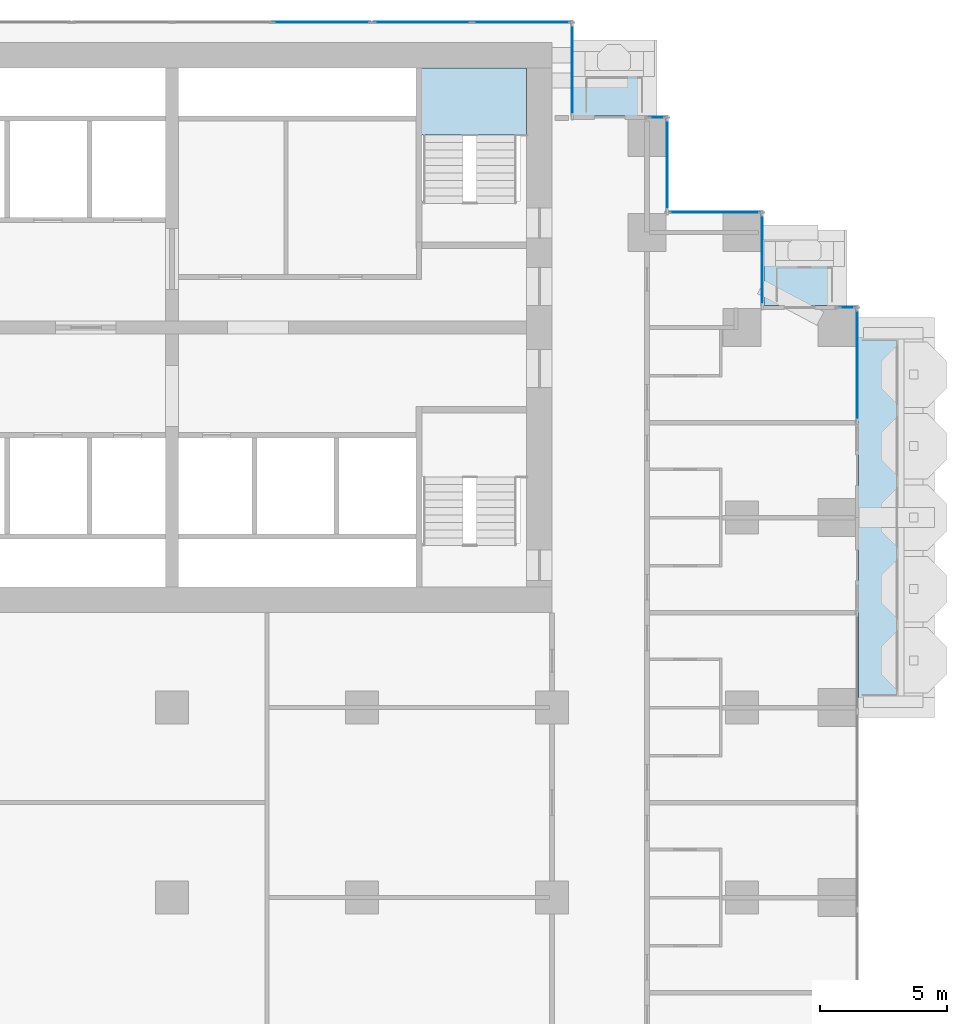
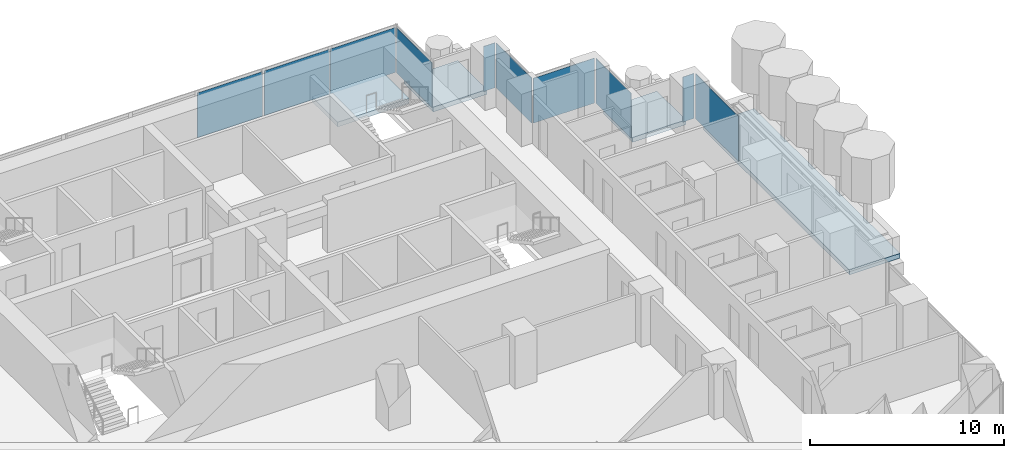
# One storey, part 10 of 19: 10 plates, 4 slabs, 10 elements without a shape of their own.
"""IFC4 building model written with IfcOpenShell, lengths in metres."""

from ifc_helpers import new_model, si_unit, direction, frame, origin, origin_2d, place, context, subcontext, project, spatial, polyline, rectangle, outline, extrude, material, layer, layer_set, type_object, element, aggregate, save


model = new_model("IFC4")

# Units and contexts
model_context = context("Model", 3, precision=1e-05, world=origin(), true_north=direction((0.0, 1.0)))
body_context = subcontext(model_context, "Body", "Model", "MODEL_VIEW")
ifc_project = project(units=[si_unit("LENGTHUNIT", "METRE"), si_unit("AREAUNIT", "SQUARE_METRE"), si_unit("VOLUMEUNIT", "CUBIC_METRE"), si_unit("PLANEANGLEUNIT", "RADIAN"), si_unit("MASSUNIT", "GRAM", prefix="KILO")], contexts=[model_context])

# Site, building, storey
site_placement = place(None, origin())
site = spatial("IfcSite", under=ifc_project, at=site_placement, CompositionType="ELEMENT")
building_placement = place(site_placement, origin())
building = spatial("IfcBuilding", under=site, at=building_placement, Name="Pilkhan Gate Tower", CompositionType="ELEMENT")
storey_placement = place(building_placement, frame((0.0, 0.0, 59.300048828125)))
storey = spatial("IfcBuildingStorey", under=building, at=storey_placement, Name="L12", CompositionType="ELEMENT", Elevation=59.300048828125)

# Slabs
ifc_material_1 = material(Name="Concrete C60/75", Category="concrete")
ifc_layer_1 = layer(ifc_material_1, 0.300048828125)
ifc_layer_set_1 = layer_set([ifc_layer_1], Name="Balcony tray slab TR300")
slab_type_1 = type_object("IfcSlabType", Name="Balcony tray slab TR300", PredefinedType="FLOOR", material=ifc_layer_set_1)
slab_1_placement = place(storey_placement, frame((0.0, 0.0, -0.300048828125)))
element("IfcSlab", 1, at=slab_1_placement, inside=storey, type_object=slab_type_1, Name="Balcony tray L12 E", PredefinedType="FLOOR", context=body_context, shape_type="SweptSolid", body=[
    extrude(outline(polyline([(105.10009765625, 67.5), (105.10009765625, 82.5), (102.10009765625, 82.5), (102.10009765625, 67.5), (105.10009765625, 67.5)])), origin(), (0.0, 0.0, 1.0), 0.300048828125),
])
slab_2_placement = place(storey_placement, frame((0.0, 0.0, -0.300048828125)))
element("IfcSlab", 2, at=slab_2_placement, inside=storey, type_object=slab_type_1, Name="Balcony tray L12 N", PredefinedType="FLOOR", context=body_context, shape_type="SweptSolid", body=[
    extrude(outline(polyline([(94.050048828125, 90.85009765625), (94.050048828125, 93.85009765625), (90.85009765625, 93.85009765625), (90.85009765625, 90.85009765625), (94.050048828125, 90.85009765625)])), origin(), (0.0, 0.0, 1.0), 0.300048828125),
])
slab_3_placement = place(storey_placement, frame((0.0, 0.0, -0.300048828125)))
element("IfcSlab", 3, at=slab_3_placement, inside=storey, type_object=slab_type_1, Name="Balcony tray L12 N", PredefinedType="FLOOR", context=body_context, shape_type="SweptSolid", body=[
    extrude(outline(polyline([(101.550048828125, 83.3701171875), (101.550048828125, 86.35009765625), (98.3701171875, 86.35009765625), (98.3701171875, 83.3701171875), (101.550048828125, 83.3701171875)])), origin(), (0.0, 0.0, 1.0), 0.300048828125),
])

# Curtain wall, plate
ifc_material_2 = material(Name="Pale anodised aluminium, clear low-iron double glazing", Category="aluminium")
curtain_wall_type = type_object("IfcCurtainWallType", Name="Hotel unitised curtain wall CW-H", PredefinedType="USERDEFINED", material=ifc_material_2)
curtain_wall_1_placement = place(storey_placement, origin())
curtain_wall_1 = element("IfcCurtainWall", 4, at=curtain_wall_1_placement, inside=storey, type_object=curtain_wall_type, Name="Hotel unitised curtain wall CW-H L12 E", ObjectType="UNITISED CURTAIN WALL", PredefinedType="USERDEFINED")
ifc_material_3 = material(Name="Clear low-iron double glazing", Category="glass")
ifc_layer_2 = layer(ifc_material_3, 0.035888671875)
ifc_layer_set_2 = layer_set([ifc_layer_2], Name="Glass panel CW-H 36")
plate_type = type_object("IfcPlateType", Name="Glass panel CW-H 36", PredefinedType="CURTAIN_PANEL", material=ifc_layer_set_2)
plate_1_placement = place(storey_placement, frame((102.044921875, 81.0224609375, 0.0), z_axis=(0.0, 0.0, 1.0), x_axis=(0.0, 1.0, 0.0)))
plate_1 = element("IfcPlate", 5, at=plate_1_placement, type_object=plate_type, Name="CW-H panel 1", PredefinedType="CURTAIN_PANEL", context=body_context, shape_type="SweptSolid", body=[
    extrude(rectangle(XDim=4.4150390625, YDim=0.035888671875, at=origin_2d()), origin(), (0.0, 0.0, 1.0), 2.820068359375),
])
aggregate(curtain_wall_1, [plate_1])

curtain_wall_2_placement = place(storey_placement, origin())
curtain_wall_2 = element("IfcCurtainWall", 6, at=curtain_wall_2_placement, inside=storey, type_object=curtain_wall_type, Name="Hotel unitised curtain wall CW-H L12 N", ObjectType="UNITISED CURTAIN WALL", PredefinedType="USERDEFINED")
plate_2_placement = place(storey_placement, frame((101.6474609375, 83.294921875, 0.0), z_axis=(0.0, 0.0, 1.0), x_axis=(1.0, 0.0, 0.0)))
plate_2 = element("IfcPlate", 7, at=plate_2_placement, type_object=plate_type, Name="CW-H panel 1", PredefinedType="CURTAIN_PANEL", context=body_context, shape_type="SweptSolid", body=[
    extrude(rectangle(XDim=0.6650390625, YDim=0.035888671875, at=origin_2d()), origin(), (0.0, 0.0, 1.0), 2.820068359375),
])
aggregate(curtain_wall_2, [plate_2])

curtain_wall_3_placement = place(storey_placement, origin())
curtain_wall_3 = element("IfcCurtainWall", 8, at=curtain_wall_3_placement, inside=storey, type_object=curtain_wall_type, Name="Hotel unitised curtain wall CW-H L12 E", ObjectType="UNITISED CURTAIN WALL", PredefinedType="USERDEFINED")
plate_3_placement = place(storey_placement, frame((98.294921875, 85.169921875, 0.0), z_axis=(0.0, 0.0, 1.0), x_axis=(0.0, 1.0, 0.0)))
plate_3 = element("IfcPlate", 9, at=plate_3_placement, type_object=plate_type, Name="CW-H panel 1", PredefinedType="CURTAIN_PANEL", context=body_context, shape_type="SweptSolid", body=[
    extrude(rectangle(XDim=3.6201171875, YDim=0.035888671875, at=origin_2d()), origin(), (0.0, 0.0, 1.0), 2.820068359375),
])
aggregate(curtain_wall_3, [plate_3])

curtain_wall_4_placement = place(storey_placement, origin())
curtain_wall_4 = element("IfcCurtainWall", 10, at=curtain_wall_4_placement, inside=storey, type_object=curtain_wall_type, Name="Hotel unitised curtain wall CW-H L12 N", ObjectType="UNITISED CURTAIN WALL", PredefinedType="USERDEFINED")
plate_4_placement = place(storey_placement, frame((96.419921875, 87.044921875, 0.0), z_axis=(0.0, 0.0, 1.0), x_axis=(1.0, 0.0, 0.0)))
plate_4 = element("IfcPlate", 11, at=plate_4_placement, type_object=plate_type, Name="CW-H panel 1", PredefinedType="CURTAIN_PANEL", context=body_context, shape_type="SweptSolid", body=[
    extrude(rectangle(XDim=3.6201171875, YDim=0.035888671875, at=origin_2d()), origin(), (0.0, 0.0, 1.0), 2.820068359375),
])
aggregate(curtain_wall_4, [plate_4])

curtain_wall_5_placement = place(storey_placement, origin())
curtain_wall_5 = element("IfcCurtainWall", 12, at=curtain_wall_5_placement, inside=storey, type_object=curtain_wall_type, Name="Hotel unitised curtain wall CW-H L12 E", ObjectType="UNITISED CURTAIN WALL", PredefinedType="USERDEFINED")
plate_5_placement = place(storey_placement, frame((94.544921875, 88.919921875, 0.0), z_axis=(0.0, 0.0, 1.0), x_axis=(0.0, 1.0, 0.0)))
plate_5 = element("IfcPlate", 13, at=plate_5_placement, type_object=plate_type, Name="CW-H panel 1", PredefinedType="CURTAIN_PANEL", context=body_context, shape_type="SweptSolid", body=[
    extrude(rectangle(XDim=3.6201171875, YDim=0.035888671875, at=origin_2d()), origin(), (0.0, 0.0, 1.0), 2.820068359375),
])
aggregate(curtain_wall_5, [plate_5])

curtain_wall_6_placement = place(storey_placement, origin())
curtain_wall_6 = element("IfcCurtainWall", 14, at=curtain_wall_6_placement, inside=storey, type_object=curtain_wall_type, Name="Hotel unitised curtain wall CW-H L12 N", ObjectType="UNITISED CURTAIN WALL", PredefinedType="USERDEFINED")
plate_6_placement = place(storey_placement, frame((94.1474609375, 90.794921875, 0.0), z_axis=(0.0, 0.0, 1.0), x_axis=(1.0, 0.0, 0.0)))
plate_6 = element("IfcPlate", 15, at=plate_6_placement, type_object=plate_type, Name="CW-H panel 1", PredefinedType="CURTAIN_PANEL", context=body_context, shape_type="SweptSolid", body=[
    extrude(rectangle(XDim=0.6650390625, YDim=0.035888671875, at=origin_2d()), origin(), (0.0, 0.0, 1.0), 2.820068359375),
])
aggregate(curtain_wall_6, [plate_6])

curtain_wall_7_placement = place(storey_placement, origin())
curtain_wall_7 = element("IfcCurtainWall", 16, at=curtain_wall_7_placement, inside=storey, type_object=curtain_wall_type, Name="Hotel unitised curtain wall CW-H L12 E", ObjectType="UNITISED CURTAIN WALL", PredefinedType="USERDEFINED")
plate_7_placement = place(storey_placement, frame((90.794921875, 92.669921875, 0.0), z_axis=(0.0, 0.0, 1.0), x_axis=(0.0, 1.0, 0.0)))
plate_7 = element("IfcPlate", 17, at=plate_7_placement, type_object=plate_type, Name="CW-H panel 1", PredefinedType="CURTAIN_PANEL", context=body_context, shape_type="SweptSolid", body=[
    extrude(rectangle(XDim=3.6201171875, YDim=0.035888671875, at=origin_2d()), origin(), (0.0, 0.0, 1.0), 2.820068359375),
])
aggregate(curtain_wall_7, [plate_7])

curtain_wall_8_placement = place(storey_placement, origin())
curtain_wall_8 = element("IfcCurtainWall", 18, at=curtain_wall_8_placement, inside=storey, type_object=curtain_wall_type, Name="Hotel unitised curtain wall CW-H L12 N", ObjectType="UNITISED CURTAIN WALL", PredefinedType="USERDEFINED")
plate_8_placement = place(storey_placement, frame((80.906982421875, 94.544921875, 0.0), z_axis=(0.0, 0.0, 1.0), x_axis=(1.0, 0.0, 0.0)))
plate_8 = element("IfcPlate", 19, at=plate_8_placement, type_object=plate_type, Name="CW-H panel 3", PredefinedType="CURTAIN_PANEL", context=body_context, shape_type="SweptSolid", body=[
    extrude(rectangle(XDim=3.851318359375, YDim=0.035888671875, at=origin_2d()), origin(), (0.0, 0.0, 1.0), 2.820068359375),
])
aggregate(curtain_wall_8, [plate_8])

# Curtain wall, plates
curtain_wall_9_placement = place(storey_placement, origin())
curtain_wall_9 = element("IfcCurtainWall", 20, at=curtain_wall_9_placement, inside=storey, type_object=curtain_wall_type, Name="Hotel unitised curtain wall CW-H L12 N", ObjectType="UNITISED CURTAIN WALL", PredefinedType="USERDEFINED")
plate_9_placement = place(storey_placement, frame((84.88818359375, 94.544921875, 0.0), z_axis=(0.0, 0.0, 1.0), x_axis=(1.0, 0.0, 0.0)))
plate_9 = element("IfcPlate", 21, at=plate_9_placement, type_object=plate_type, Name="CW-H panel 1", PredefinedType="CURTAIN_PANEL", context=body_context, shape_type="SweptSolid", body=[
    extrude(rectangle(XDim=3.851318359375, YDim=0.035888671875, at=origin_2d()), origin(), (0.0, 0.0, 1.0), 2.820068359375),
])
plate_10_placement = place(storey_placement, frame((88.804443359375, 94.544921875, 0.0), z_axis=(0.0, 0.0, 1.0), x_axis=(1.0, 0.0, 0.0)))
plate_10 = element("IfcPlate", 22, at=plate_10_placement, type_object=plate_type, Name="CW-H panel 2", PredefinedType="CURTAIN_PANEL", context=body_context, shape_type="SweptSolid", body=[
    extrude(rectangle(XDim=3.851318359375, YDim=0.035888671875, at=origin_2d()), origin(), (0.0, 0.0, 1.0), 2.820068359375),
])
aggregate(curtain_wall_9, [plate_9, plate_10])

# Stair, slab
ifc_material_4 = material(Name="Concrete C40/50 precast", Category="concrete")
stair_type = type_object("IfcStairType", Name="Stair ST4 165x300", PredefinedType="HALF_TURN_STAIR", material=ifc_material_4)
stair_placement = place(storey_placement, origin())
stair = element("IfcStair", 23, at=stair_placement, inside=storey, type_object=stair_type, Name="Stair ST4 L12", PredefinedType="HALF_TURN_STAIR")
ifc_material_5 = material(Name="Concrete C40/50", Category="concrete")
ifc_layer_3 = layer(ifc_material_5, 0.199951171875)
ifc_layer_set_3 = layer_set([ifc_layer_3], Name="Stair landing SL200")
slab_type_2 = type_object("IfcSlabType", Name="Stair landing SL200", PredefinedType="LANDING", material=ifc_layer_set_3)
slab_4_placement = place(storey_placement, frame((0.0, 0.0, 1.349853515625)))
slab_4 = element("IfcSlab", 24, at=slab_4_placement, type_object=slab_type_2, Name="ST4 landing 1", PredefinedType="LANDING", context=body_context, shape_type="SweptSolid", body=[
    extrude(outline(polyline([(89.0, 90.10009765625), (89.0, 92.75), (84.75, 92.75), (84.75, 90.10009765625), (89.0, 90.10009765625)])), origin(), (0.0, 0.0, 1.0), 0.300048828125),
])
aggregate(stair, [slab_4])

save(model, "model.ifc")
